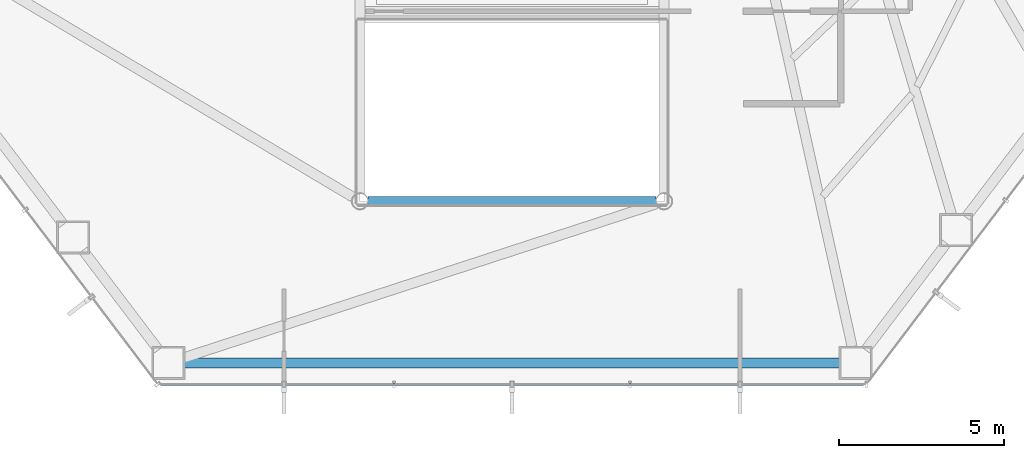
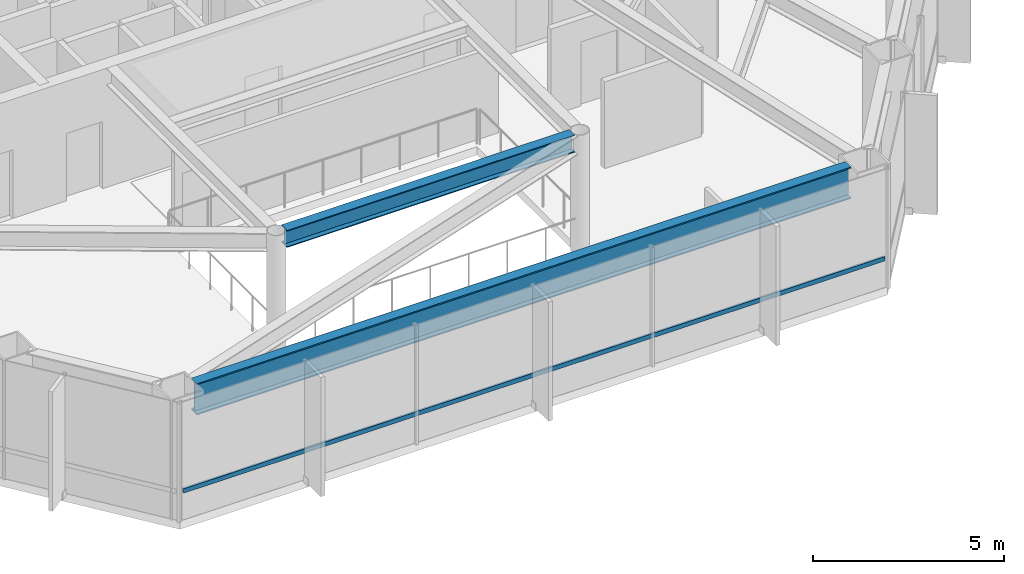
# One storey, part 7 of 25: 2 beams, 1 member, 1 element without a shape of its own.
"""IFC4 building model written with IfcOpenShell, lengths in metres."""

from ifc_helpers import new_model, si_unit, direction, frame, origin, origin_2d, place, context, subcontext, project, spatial, hollow_rectangle, i_section, extrude, material, layer, layer_set, material_profile, profile_set, type_object, element, aggregate, save


model = new_model("IFC4")

# Units and contexts
model_context = context("Model", 3, precision=1e-05, world=origin(), true_north=direction((0.0, 1.0)))
body_context = subcontext(model_context, "Body", "Model", "MODEL_VIEW")
ifc_project = project(units=[si_unit("LENGTHUNIT", "METRE"), si_unit("AREAUNIT", "SQUARE_METRE"), si_unit("VOLUMEUNIT", "CUBIC_METRE"), si_unit("PLANEANGLEUNIT", "RADIAN"), si_unit("MASSUNIT", "GRAM", prefix="KILO")], contexts=[model_context])

# Site, building, storey
site_placement = place(None, origin())
site = spatial("IfcSite", under=ifc_project, at=site_placement, CompositionType="ELEMENT")
building_placement = place(site_placement, origin())
building = spatial("IfcBuilding", under=site, at=building_placement, Name="Zarrinselat Tower", CompositionType="ELEMENT")
storey_placement = place(building_placement, frame((0.0, 0.0, 52.02001953125)))
storey = spatial("IfcBuildingStorey", under=building, at=storey_placement, Name="L12", CompositionType="ELEMENT", Elevation=52.02001953125)

# Beams
ifc_material_1 = material(Name="Steel S355J2", Category="steel")
ifc_material_profile_1 = material_profile(ifc_material_1, i_section(OverallWidth=0.300048828125, OverallDepth=0.550048828125, WebThickness=0.014892578125, FlangeThickness=0.029052734375, at=origin_2d()), Name="HEB 550")
ifc_profile_set_1 = profile_set([ifc_material_profile_1], Name="Steel S355J2")
beam_type_1 = type_object("IfcBeamType", Name="BM-HEB550", PredefinedType="BEAM", material=ifc_profile_set_1)
beam_1_placement = place(storey_placement, frame((34.0400390625, 24.39990234375, 3.544921875), z_axis=(1.0, 0.0, 0.0), x_axis=(0.0, 1.0, 0.0)))
element("IfcBeam", 1, at=beam_1_placement, inside=storey, type_object=beam_type_1, Name="L12 Atrium Edge Beam S", PredefinedType="BEAM", context=body_context, shape_type="SweptSolid", body=[
    extrude(i_section(OverallWidth=0.300048828125, OverallDepth=0.550048828125, WebThickness=0.014892578125, FlangeThickness=0.029052734375, at=origin_2d()), origin(), (0.0, 0.0, 1.0), 8.719970703125),
])
ifc_material_2 = material(Name="Steel S460M", Category="steel")
ifc_material_profile_2 = material_profile(ifc_material_2, i_section(OverallWidth=0.302001953125, OverallDepth=1.008056640625, WebThickness=0.02099609375, FlangeThickness=0.0400390625, at=origin_2d()), Name="HEM 1000")
ifc_profile_set_2 = profile_set([ifc_material_profile_2], Name="Steel S460M")
beam_type_2 = type_object("IfcBeamType", Name="BM-HEM1000", PredefinedType="BEAM", material=ifc_profile_set_2)
beam_2_placement = place(storey_placement, frame((28.48828125, 19.51171875, 3.31591796875), z_axis=(1.0, 0.0, 0.0), x_axis=(0.0, 1.0, 0.0)))
element("IfcBeam", 2, at=beam_2_placement, inside=storey, type_object=beam_type_2, Name="L12 Perimeter Spandrel Girder SP10", PredefinedType="BEAM", context=body_context, shape_type="SweptSolid", body=[
    extrude(i_section(OverallWidth=0.302001953125, OverallDepth=1.008056640625, WebThickness=0.02099609375, FlangeThickness=0.0400390625, at=origin_2d()), origin(), (0.0, 0.0, 1.0), 19.8232421875),
])

# Curtain wall, member
ifc_material_3 = material(Name="Extruded Aluminium Alloy EN AW-6063 T6", Category="aluminium")
ifc_layer = layer(ifc_material_3, 0.18505859375)
ifc_layer_set = layer_set([ifc_layer], Name="Extruded Aluminium Alloy EN AW-6063 T6")
curtain_wall_type = type_object("IfcCurtainWallType", Name="CWS-OFF", PredefinedType="NOTDEFINED", material=ifc_layer_set)
curtain_wall_placement = place(storey_placement, origin())
curtain_wall = element("IfcCurtainWall", 3, at=curtain_wall_placement, inside=storey, type_object=curtain_wall_type, Name="L12 Unitised Curtain Wall CW-L12-E04", PredefinedType="NOTDEFINED")
ifc_material_4 = material(Name="Extruded Aluminium Alloy EN AW-6063 T6", Category="aluminium")
ifc_material_profile_3 = material_profile(ifc_material_4, hollow_rectangle(XDim=0.06005859375, YDim=0.139892578125, WallThickness=0.00390625, at=origin_2d()), Name="RHS 140x60x4")
ifc_profile_set_3 = profile_set([ifc_material_profile_3], Name="Extruded Aluminium Alloy EN AW-6063 T6")
member_type = type_object("IfcMemberType", Name="MEM-CW-TRN", PredefinedType="USERDEFINED", material=ifc_profile_set_3)
member_placement = place(storey_placement, frame((27.767333984375, 18.86181640625, 0.949951171875), z_axis=(1.0, 0.0, 0.0), x_axis=(0.0, 1.0, 0.0)))
member = element("IfcMember", 4, at=member_placement, type_object=member_type, Name="CW-L12-E04 Transom 1", ObjectType="TRANSOM", PredefinedType="USERDEFINED", context=body_context, shape_type="SweptSolid", body=[
    extrude(hollow_rectangle(XDim=0.06005859375, YDim=0.139892578125, WallThickness=0.00390625, at=origin_2d()), origin(), (0.0, 0.0, 1.0), 21.265380859375),
])
aggregate(curtain_wall, [member])

save(model, "model.ifc")
